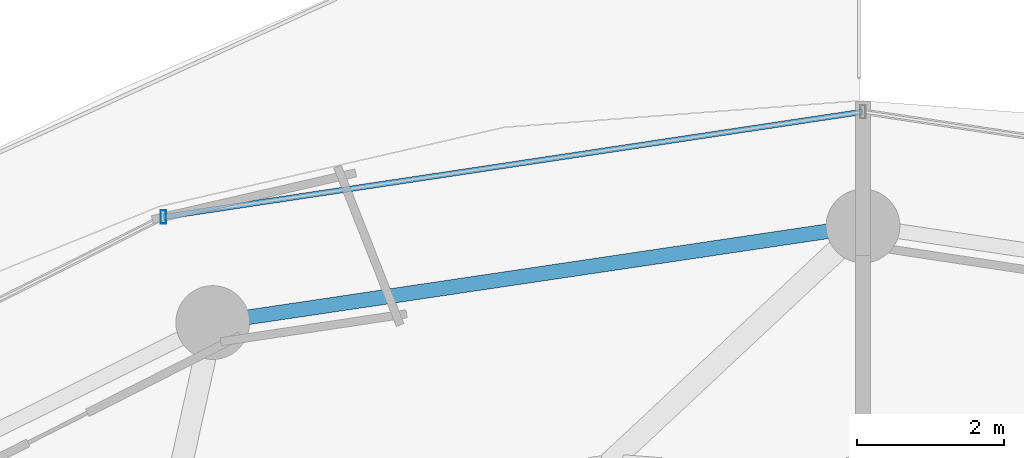
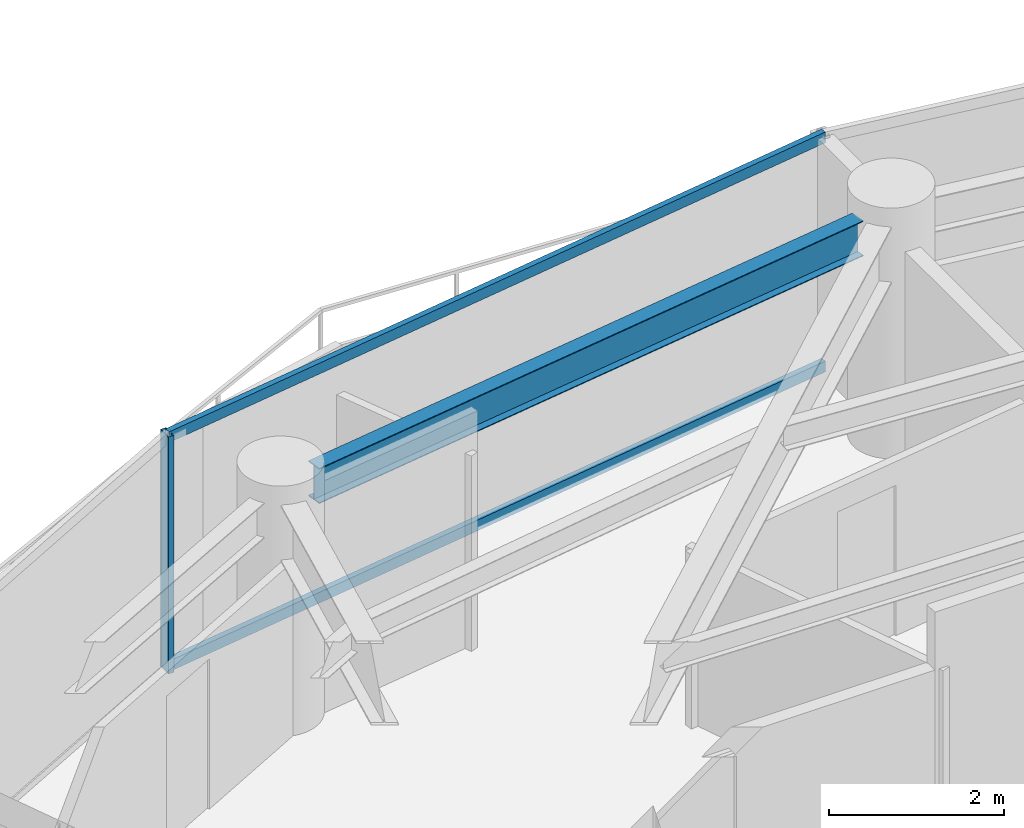
# One storey, part 18 of 31: 3 members, 1 beam, 1 element without a shape of its own.
"""IFC4 building model written with IfcOpenShell, lengths in metres."""

from ifc_helpers import new_model, si_unit, direction, frame, origin, origin_2d, place, context, subcontext, project, spatial, hollow_rectangle, i_section, extrude, material, material_profile, profile_set, type_object, element, aggregate, save


model = new_model("IFC4")

# Units and contexts
model_context = context("Model", 3, precision=1e-05, world=origin(), true_north=direction((0.0, 1.0)))
body_context = subcontext(model_context, "Body", "Model", "MODEL_VIEW")
ifc_project = project(units=[si_unit("LENGTHUNIT", "METRE"), si_unit("AREAUNIT", "SQUARE_METRE"), si_unit("VOLUMEUNIT", "CUBIC_METRE"), si_unit("PLANEANGLEUNIT", "RADIAN"), si_unit("MASSUNIT", "GRAM", prefix="KILO")], contexts=[model_context])

# Site, building, storey
site_placement = place(None, origin())
site = spatial("IfcSite", under=ifc_project, at=site_placement, CompositionType="ELEMENT")
building_placement = place(site_placement, origin())
building = spatial("IfcBuilding", under=site, at=building_placement, Name="Vorneva Point Tower", CompositionType="ELEMENT")
storey_placement = place(building_placement, frame((0.0, 0.0, 136.10009765625)))
storey = spatial("IfcBuildingStorey", under=building, at=storey_placement, Name="L36", CompositionType="ELEMENT", Elevation=136.10009765625)

# Beam
ifc_material_1 = material(Name="Steel S355", Category="steel")
ifc_material_profile_1 = material_profile(ifc_material_1, i_section(OverallWidth=0.199951171875, OverallDepth=0.491943359375, WebThickness=0.0087890625, FlangeThickness=0.011962890625, at=origin_2d()), Name="50B1")
ifc_profile_set_1 = profile_set([ifc_material_profile_1], Name="Steel S355")
beam_type = type_object("IfcBeamType", Name="BM-SPN-50B1", PredefinedType="SPANDREL", material=ifc_profile_set_1)
beam_placement = place(storey_placement, frame((37.520263671875, 43.12890625, 2.993896484375), z_axis=(-0.989161199046, -0.146833655211, 0.0), x_axis=(0.146833655211, -0.989161199046, 0.0)))
element("IfcBeam", 1, at=beam_placement, inside=storey, type_object=beam_type, Name="L36 Perimeter Spandrel Ring Beam 05", PredefinedType="SPANDREL", context=body_context, shape_type="SweptSolid", body=[
    extrude(i_section(OverallWidth=0.199951171875, OverallDepth=0.491943359375, WebThickness=0.0087890625, FlangeThickness=0.011962890625, at=origin_2d()), origin(), (0.0, 0.0, 1.0), 7.94775390625),
])

# Curtain wall, members
ifc_material_2 = material(Name="Pale anodised aluminium", Category="aluminium")
curtain_wall_type = type_object("IfcCurtainWallType", Name="CW-RES-SYS", PredefinedType="NOTDEFINED", material=ifc_material_2)
curtain_wall_placement = place(storey_placement, origin())
curtain_wall = element("IfcCurtainWall", 2, at=curtain_wall_placement, inside=storey, type_object=curtain_wall_type, Name="L36 Unitised Curtain Wall CW-L36-R02", PredefinedType="NOTDEFINED")
ifc_material_profile_2 = material_profile(ifc_material_2, hollow_rectangle(XDim=0.074951171875, YDim=0.179931640625, WallThickness=0.00390625, at=origin_2d()), Name="AL-MUL 180x75x4")
ifc_profile_set_2 = profile_set([ifc_material_profile_2], Name="Pale anodised aluminium")
member_type_1 = type_object("IfcMemberType", Name="CW-MUL-180", PredefinedType="MULLION", material=ifc_profile_set_2)
member_1_placement = place(storey_placement, frame((28.509521484375, 43.32275390625, -0.0400390625), z_axis=(0.0, 0.0, 1.0), x_axis=(1.0, 0.0, 0.0)))
member_1 = element("IfcMember", 3, at=member_1_placement, type_object=member_type_1, Name="CW-L36-R02 Mullion 04", PredefinedType="MULLION", context=body_context, shape_type="SweptSolid", body=[
    extrude(hollow_rectangle(XDim=0.074951171875, YDim=0.179931640625, WallThickness=0.00390625, at=origin_2d()), origin(), (0.0, 0.0, 1.0), 3.31005859375),
])
ifc_material_profile_3 = material_profile(ifc_material_2, hollow_rectangle(XDim=0.074951171875, YDim=0.14990234375, WallThickness=0.00390625, at=origin_2d()), Name="AL-TRN 150x75x4")
ifc_profile_set_3 = profile_set([ifc_material_profile_3], Name="Pale anodised aluminium")
member_type_2 = type_object("IfcMemberType", Name="CW-TRN-150", PredefinedType="USERDEFINED", material=ifc_profile_set_3)
member_2_placement = place(storey_placement, frame((38.0, 44.75, 0.02001953125), z_axis=(-0.988880117727, -0.148714870687, 0.0), x_axis=(0.148714870687, -0.988880117727, 0.0)))
member_2 = element("IfcMember", 4, at=member_2_placement, type_object=member_type_2, Name="CW-L36-R02 Transom 03.1", ObjectType="TRANSOM", PredefinedType="USERDEFINED", context=body_context, shape_type="SweptSolid", body=[
    extrude(hollow_rectangle(XDim=0.074951171875, YDim=0.14990234375, WallThickness=0.00390625, at=origin_2d()), origin(), (0.0, 0.0, 1.0), 9.59716796875),
])
member_3_placement = place(storey_placement, frame((38.0, 44.75, 3.219970703125), z_axis=(-0.988880117727, -0.148714870687, 0.0), x_axis=(0.148714870687, -0.988880117727, 0.0)))
member_3 = element("IfcMember", 5, at=member_3_placement, type_object=member_type_2, Name="CW-L36-R02 Transom 03.2", ObjectType="TRANSOM", PredefinedType="USERDEFINED", context=body_context, shape_type="SweptSolid", body=[
    extrude(hollow_rectangle(XDim=0.074951171875, YDim=0.14990234375, WallThickness=0.00390625, at=origin_2d()), origin(), (0.0, 0.0, 1.0), 9.59716796875),
])
aggregate(curtain_wall, [member_1, member_2, member_3])

save(model, "model.ifc")
